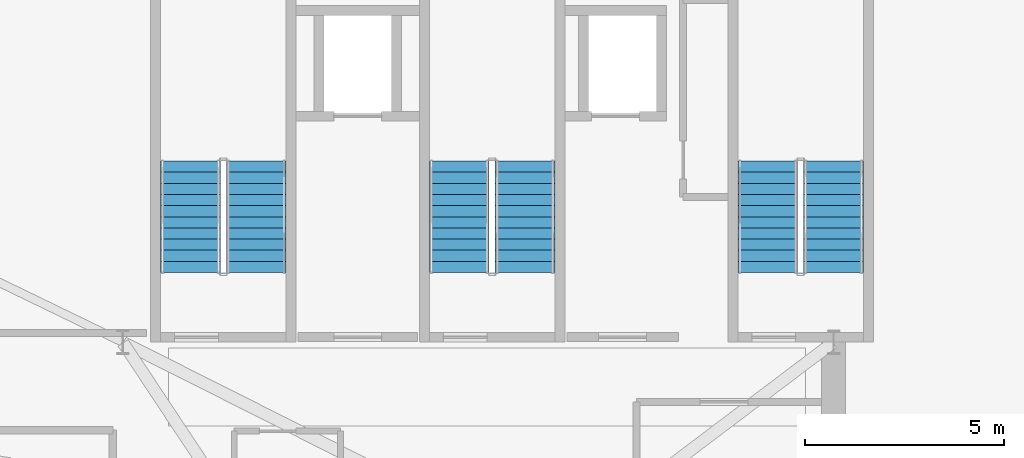
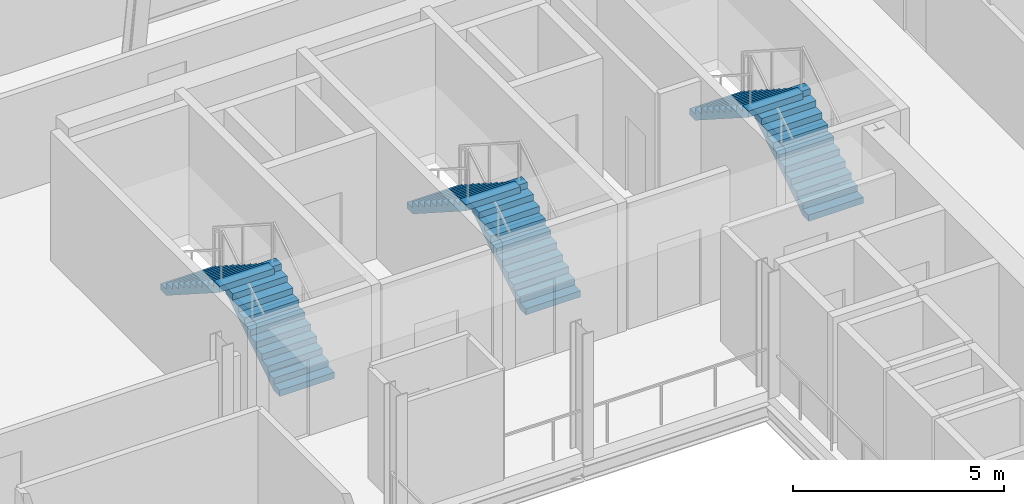
# One storey, part 11 of 15: 6 stair flights, 3 elements without a shape of their own.
"""IFC4 building model written with IfcOpenShell, lengths in metres."""

from ifc_helpers import new_model, si_unit, direction, frame, origin, place, context, subcontext, project, spatial, polyline, outline, extrude, source, transform, mapped, material, type_object, element, aggregate, save


model = new_model("IFC4")

# Units and contexts
model_context = context("Model", 3, precision=1e-05, world=origin(), true_north=direction((0.0, 1.0)))
body_context = subcontext(model_context, "Body", "Model", "MODEL_VIEW")
ifc_project = project(units=[si_unit("LENGTHUNIT", "METRE"), si_unit("AREAUNIT", "SQUARE_METRE"), si_unit("VOLUMEUNIT", "CUBIC_METRE"), si_unit("PLANEANGLEUNIT", "RADIAN"), si_unit("MASSUNIT", "GRAM", prefix="KILO")], contexts=[model_context])

# Site, building, storey
site_placement = place(None, origin())
site = spatial("IfcSite", under=ifc_project, at=site_placement, CompositionType="ELEMENT")
building_placement = place(site_placement, origin())
building = spatial("IfcBuilding", under=site, at=building_placement, Name="Vardaveli Station Tower", CompositionType="ELEMENT")
storey_placement = place(building_placement, frame((0.0, 0.0, 262.449951171875)))
storey = spatial("IfcBuildingStorey", under=building, at=storey_placement, Name="L67", CompositionType="ELEMENT", Elevation=262.449951171875)

# Stair, stair flights
ifc_material = material(Name="Concrete C40/50", Category="concrete")
stair_type = type_object("IfcStairType", Name="STR-CORE-1500", PredefinedType="HALF_TURN_STAIR", material=ifc_material)
stair_1_placement = place(storey_placement, origin())
stair_1 = element("IfcStair", 1, at=stair_1_placement, inside=storey, type_object=stair_type, Name="L67 ST-1", PredefinedType="HALF_TURN_STAIR")
stair_flight_type = type_object("IfcStairFlightType", Name="SFL-CORE-1500", PredefinedType="STRAIGHT", material=ifc_material)
shared_shape = source(origin(), body_context, "Body", "SweptSolid", [
    extrude(outline(polyline([(0.0, 0.0), (0.0, 0.179443359375), (0.280029296875, 0.179443359375), (0.280029296875, 0.359130859375), (0.56005859375, 0.359130859375), (0.56005859375, 0.53857421875), (0.840087890625, 0.53857421875), (0.840087890625, 0.71826171875), (1.1201171875, 0.71826171875), (1.1201171875, 0.897705078125), (1.39990234375, 0.897705078125), (1.39990234375, 1.077392578125), (1.679931640625, 1.077392578125), (1.679931640625, 1.2568359375), (1.9599609375, 1.2568359375), (1.9599609375, 1.436279296875), (2.239990234375, 1.436279296875), (2.239990234375, 1.615966796875), (2.52001953125, 1.615966796875), (2.52001953125, 1.79541015625), (2.800048828125, 1.79541015625), (2.800048828125, 1.97509765625), (2.800048828125, 1.617431640625), (0.277587890625, 0.0), (0.0, 0.0)])), frame((0.0, 0.75, 0.0), z_axis=(0.0, -1.0, 0.0), x_axis=(1.0, 0.0, 0.0)), (0.0, 0.0, 1.0), 1.5),
])
stair_flight_1_placement = place(storey_placement, frame((32.0, 32.39990234375, 0.0), z_axis=(0.0, 0.0, 1.0), x_axis=(0.0, 1.0, 0.0)))
stair_flight_1 = element("IfcStairFlight", 2, at=stair_flight_1_placement, type_object=stair_flight_type, Name="ST-1 flight 1", NumberOfRisers=11, NumberOfTreads=10, PredefinedType="STRAIGHT", RiserHeight=0.179545455, TreadLength=0.28, context=body_context, shape_type="MappedRepresentation", body=[
    mapped(shared_shape, transform((0.0, 0.0, 0.0), scale=1.0)),
])
stair_flight_2_placement = place(storey_placement, frame((30.35009765625, 35.199951171875, 1.97509765625), z_axis=(0.0, 0.0, 1.0), x_axis=(0.0, -1.0, 0.0)))
stair_flight_2 = element("IfcStairFlight", 3, at=stair_flight_2_placement, type_object=stair_flight_type, Name="ST-1 flight 2", NumberOfRisers=11, NumberOfTreads=10, PredefinedType="STRAIGHT", RiserHeight=0.179545455, TreadLength=0.28, context=body_context, shape_type="MappedRepresentation", body=[
    mapped(shared_shape, transform((0.0, 0.0, 0.0), scale=1.0)),
])
aggregate(stair_1, [stair_flight_1, stair_flight_2])

stair_2_placement = place(storey_placement, origin())
stair_2 = element("IfcStair", 4, at=stair_2_placement, inside=storey, type_object=stair_type, Name="L67 ST-2", PredefinedType="HALF_TURN_STAIR")
stair_flight_3_placement = place(storey_placement, frame((38.75, 32.39990234375, 0.0), z_axis=(0.0, 0.0, 1.0), x_axis=(0.0, 1.0, 0.0)))
stair_flight_3 = element("IfcStairFlight", 5, at=stair_flight_3_placement, type_object=stair_flight_type, Name="ST-2 flight 1", NumberOfRisers=11, NumberOfTreads=10, PredefinedType="STRAIGHT", RiserHeight=0.179545455, TreadLength=0.28, context=body_context, shape_type="MappedRepresentation", body=[
    mapped(shared_shape, transform((0.0, 0.0, 0.0), scale=1.0)),
])
stair_flight_4_placement = place(storey_placement, frame((37.10009765625, 35.199951171875, 1.97509765625), z_axis=(0.0, 0.0, 1.0), x_axis=(0.0, -1.0, 0.0)))
stair_flight_4 = element("IfcStairFlight", 6, at=stair_flight_4_placement, type_object=stair_flight_type, Name="ST-2 flight 2", NumberOfRisers=11, NumberOfTreads=10, PredefinedType="STRAIGHT", RiserHeight=0.179545455, TreadLength=0.28, context=body_context, shape_type="MappedRepresentation", body=[
    mapped(shared_shape, transform((0.0, 0.0, 0.0), scale=1.0)),
])
aggregate(stair_2, [stair_flight_3, stair_flight_4])

stair_3_placement = place(storey_placement, origin())
stair_3 = element("IfcStair", 7, at=stair_3_placement, inside=storey, type_object=stair_type, Name="L67 ST-3", PredefinedType="HALF_TURN_STAIR")
stair_flight_5_placement = place(storey_placement, frame((46.5, 32.39990234375, 0.0), z_axis=(0.0, 0.0, 1.0), x_axis=(0.0, 1.0, 0.0)))
stair_flight_5 = element("IfcStairFlight", 8, at=stair_flight_5_placement, type_object=stair_flight_type, Name="ST-3 flight 1", NumberOfRisers=11, NumberOfTreads=10, PredefinedType="STRAIGHT", RiserHeight=0.179545455, TreadLength=0.28, context=body_context, shape_type="MappedRepresentation", body=[
    mapped(shared_shape, transform((0.0, 0.0, 0.0), scale=1.0)),
])
stair_flight_6_placement = place(storey_placement, frame((44.85009765625, 35.199951171875, 1.97509765625), z_axis=(0.0, 0.0, 1.0), x_axis=(0.0, -1.0, 0.0)))
stair_flight_6 = element("IfcStairFlight", 9, at=stair_flight_6_placement, type_object=stair_flight_type, Name="ST-3 flight 2", NumberOfRisers=11, NumberOfTreads=10, PredefinedType="STRAIGHT", RiserHeight=0.179545455, TreadLength=0.28, context=body_context, shape_type="MappedRepresentation", body=[
    mapped(shared_shape, transform((0.0, 0.0, 0.0), scale=1.0)),
])
aggregate(stair_3, [stair_flight_5, stair_flight_6])

save(model, "model.ifc")
